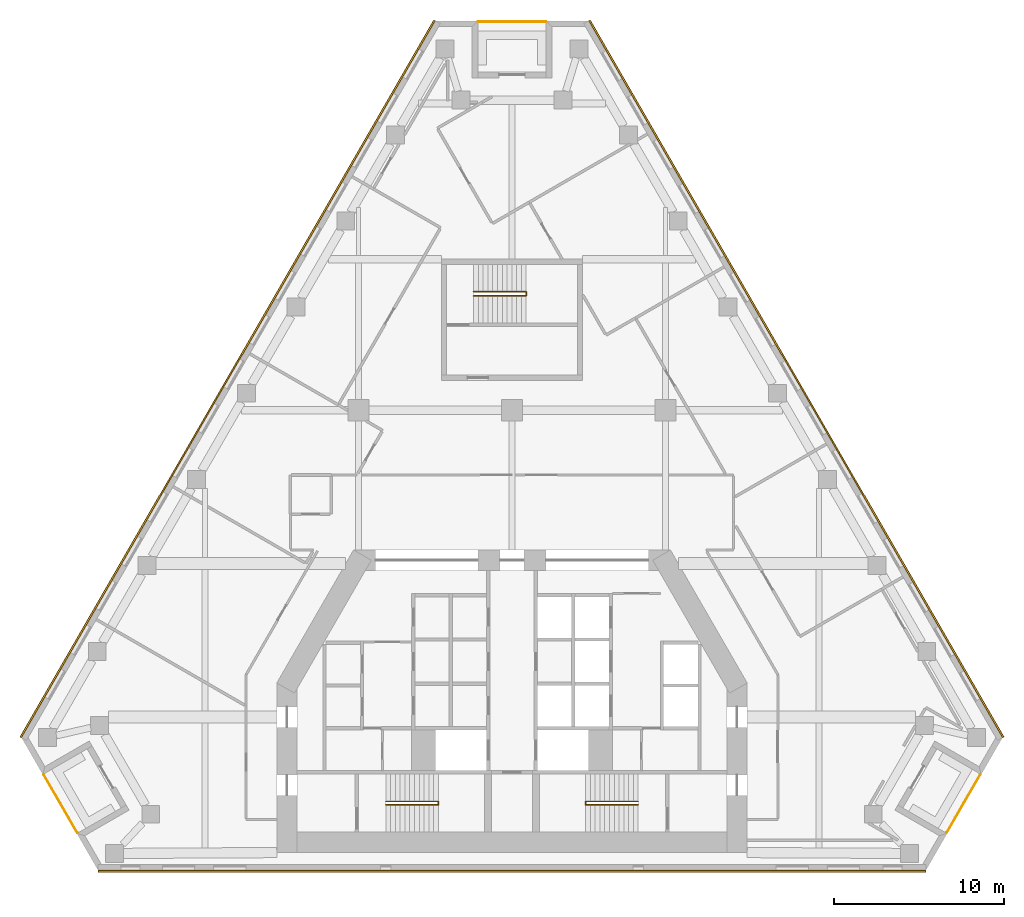
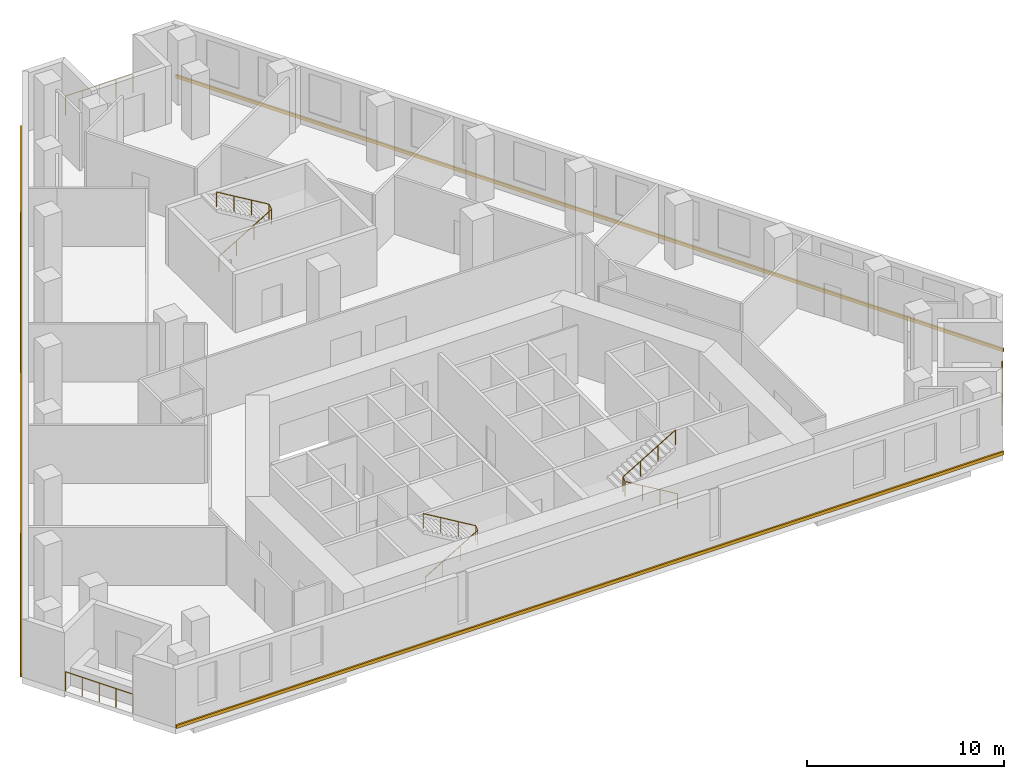
# One storey, part 8 of 8: 6 railings, 3 coverings.
"""IFC4 building model written with IfcOpenShell, lengths in metres."""

from ifc_helpers import new_model, si_unit, direction, frame, origin, origin_2d, place, context, subcontext, project, spatial, polyline, circle, outline, extrude, material, type_object, element, save


model = new_model("IFC4")

# Units and contexts
model_context = context("Model", 3, precision=1e-05, world=origin(), true_north=direction((0.0, 1.0)))
body_context = subcontext(model_context, "Body", "Model", "MODEL_VIEW")
ifc_project = project(units=[si_unit("LENGTHUNIT", "METRE"), si_unit("AREAUNIT", "SQUARE_METRE"), si_unit("VOLUMEUNIT", "CUBIC_METRE"), si_unit("PLANEANGLEUNIT", "RADIAN"), si_unit("MASSUNIT", "GRAM", prefix="KILO")], contexts=[model_context])

# Site, building, storey
site_placement = place(None, origin())
site = spatial("IfcSite", under=ifc_project, at=site_placement, CompositionType="ELEMENT")
building_placement = place(site_placement, origin())
building = spatial("IfcBuilding", under=site, at=building_placement, Name="Fogline Exchange Tower", CompositionType="ELEMENT")
storey_placement = place(building_placement, frame((0.0, 0.0, 158.89990234375)))
storey = spatial("IfcBuildingStorey", under=building, at=storey_placement, Name="L35", CompositionType="ELEMENT", Elevation=158.89990234375)

# Railings
ifc_material_1 = material(Name="Stainless steel 304", Category="steel")
railing_type_1 = type_object("IfcRailingType", Name="G1", PredefinedType="GUARDRAIL", material=ifc_material_1)
railing_1_placement = place(storey_placement, frame((-27.472412109375, 5.635986328125, 0.0)))
element("IfcRailing", 1, at=railing_1_placement, inside=storey, type_object=railing_type_1, Name="Balcony guard L35 SW", PredefinedType="GUARDRAIL", context=body_context, shape_type="SweptSolid", body=[
    extrude(circle(Radius=0.02392578125, at=origin_2d()), frame((0.0, 0.0, 1.17578125), z_axis=(0.500000102728, -0.866025344474, 0.0), x_axis=(0.866025344474, 0.500000102728, 0.0)), (0.0, 0.0, 1.0), 3.9580078125),
    extrude(circle(Radius=0.02099609375, at=origin_2d()), origin(), (0.0, 0.0, 1.0), 1.15185546875),
    extrude(circle(Radius=0.02099609375, at=origin_2d()), frame((0.49462890625, -0.85693359375, 0.0)), (0.0, 0.0, 1.0), 1.15185546875),
    extrude(circle(Radius=0.02099609375, at=origin_2d()), frame((0.989501953125, -1.7138671875, 0.0)), (0.0, 0.0, 1.0), 1.15185546875),
    extrude(circle(Radius=0.02099609375, at=origin_2d()), frame((1.484375, -2.57080078125, 0.0)), (0.0, 0.0, 1.0), 1.15185546875),
    extrude(circle(Radius=0.02099609375, at=origin_2d()), frame((1.97900390625, -3.427734375, 0.0)), (0.0, 0.0, 1.0), 1.15185546875),
])
railing_2_placement = place(storey_placement, frame((25.493408203125, 2.208251953125, 0.0)))
element("IfcRailing", 2, at=railing_2_placement, inside=storey, type_object=railing_type_1, Name="Balcony guard L35 SE", PredefinedType="GUARDRAIL", context=body_context, shape_type="SweptSolid", body=[
    extrude(circle(Radius=0.02392578125, at=origin_2d()), frame((0.0, 0.0, 1.17578125), z_axis=(0.500000102728, 0.866025344474, 0.0), x_axis=(-0.866025344474, 0.500000102728, 0.0)), (0.0, 0.0, 1.0), 3.9580078125),
    extrude(circle(Radius=0.02099609375, at=origin_2d()), origin(), (0.0, 0.0, 1.0), 1.15185546875),
    extrude(circle(Radius=0.02099609375, at=origin_2d()), frame((0.49462890625, 0.85693359375, 0.0)), (0.0, 0.0, 1.0), 1.15185546875),
    extrude(circle(Radius=0.02099609375, at=origin_2d()), frame((0.989501953125, 1.7138671875, 0.0)), (0.0, 0.0, 1.0), 1.15185546875),
    extrude(circle(Radius=0.02099609375, at=origin_2d()), frame((1.484375, 2.57080078125, 0.0)), (0.0, 0.0, 1.0), 1.15185546875),
    extrude(circle(Radius=0.02099609375, at=origin_2d()), frame((1.97900390625, 3.427734375, 0.0)), (0.0, 0.0, 1.0), 1.15185546875),
])
railing_3_placement = place(storey_placement, frame((1.97900390625, 49.791748046875, 0.0)))
element("IfcRailing", 3, at=railing_3_placement, inside=storey, type_object=railing_type_1, Name="Balcony guard L35 N", PredefinedType="GUARDRAIL", context=body_context, shape_type="SweptSolid", body=[
    extrude(circle(Radius=0.02392578125, at=origin_2d()), frame((0.0, 0.0, 1.17578125), z_axis=(-1.0, 0.0, 0.0), x_axis=(0.0, -1.0, 0.0)), (0.0, 0.0, 1.0), 3.9580078125),
    extrude(circle(Radius=0.02099609375, at=origin_2d()), origin(), (0.0, 0.0, 1.0), 1.15185546875),
    extrude(circle(Radius=0.02099609375, at=origin_2d()), frame((-0.989501953125, 0.0, 0.0)), (0.0, 0.0, 1.0), 1.15185546875),
    extrude(circle(Radius=0.02099609375, at=origin_2d()), frame((-1.97900390625, 0.0, 0.0)), (0.0, 0.0, 1.0), 1.15185546875),
    extrude(circle(Radius=0.02099609375, at=origin_2d()), frame((-2.968505859375, 0.0, 0.0)), (0.0, 0.0, 1.0), 1.15185546875),
    extrude(circle(Radius=0.02099609375, at=origin_2d()), frame((-3.9580078125, 0.0, 0.0)), (0.0, 0.0, 1.0), 1.15185546875),
])
ifc_material_2 = material(Name="Steel Q235B", Category="steel")
railing_type_2 = type_object("IfcRailingType", Name="RL-HR", PredefinedType="HANDRAIL", material=ifc_material_2)
railing_4_placement = place(storey_placement, frame((-7.39990234375, 3.85009765625, 0.166748046875)))
element("IfcRailing", 4, at=railing_4_placement, inside=storey, type_object=railing_type_2, Name="Handrail ST1", PredefinedType="HANDRAIL", context=body_context, shape_type="SweptSolid", body=[
    extrude(circle(Radius=0.02392578125, at=origin_2d()), frame((0.0, 0.0, 0.92578125), z_axis=(0.859290745958, 0.0, 0.51148745235), x_axis=(0.0, 1.0, 0.0)), (0.0, 0.0, 1.0), 3.584228515625),
    extrude(circle(Radius=0.02392578125, at=origin_2d()), frame((3.079833984375, 0.0, 2.75927734375), z_axis=(0.0, 0.767990643491, 0.640461061666), x_axis=(-1.0, 0.0, 0.0)), (0.0, 0.0, 1.0), 0.26025390625),
    extrude(circle(Radius=0.02392578125, at=origin_2d()), frame((3.079833984375, 0.199951171875, 2.92578125), z_axis=(-0.859290745958, 0.0, 0.51148745235), x_axis=(0.0, -1.0, 0.0)), (0.0, 0.0, 1.0), 3.584228515625),
    extrude(circle(Radius=0.02099609375, at=origin_2d()), origin(), (0.0, 0.0, 1.0), 0.90185546875),
    extrude(circle(Radius=0.02099609375, at=origin_2d()), frame((1.026611328125, 0.0, 0.611083984375)), (0.0, 0.0, 1.0), 0.90185546875),
    extrude(circle(Radius=0.02099609375, at=origin_2d()), frame((2.05322265625, 0.0, 1.22216796875)), (0.0, 0.0, 1.0), 0.90185546875),
    extrude(circle(Radius=0.02099609375, at=origin_2d()), frame((3.079833984375, 0.0, 1.833251953125)), (0.0, 0.0, 1.0), 0.90185546875),
    extrude(circle(Radius=0.02099609375, at=origin_2d()), frame((3.079833984375, 0.199951171875, 2.0)), (0.0, 0.0, 1.0), 0.90185546875),
    extrude(circle(Radius=0.02099609375, at=origin_2d()), frame((2.05322265625, 0.199951171875, 2.611083984375)), (0.0, 0.0, 1.0), 0.90185546875),
    extrude(circle(Radius=0.02099609375, at=origin_2d()), frame((1.026611328125, 0.199951171875, 3.22216796875)), (0.0, 0.0, 1.0), 0.90185546875),
    extrude(circle(Radius=0.02099609375, at=origin_2d()), frame((0.0, 0.199951171875, 3.833251953125)), (0.0, 0.0, 1.0), 0.90185546875),
])
railing_5_placement = place(storey_placement, frame((7.39990234375, 3.85009765625, 0.166748046875)))
element("IfcRailing", 5, at=railing_5_placement, inside=storey, type_object=railing_type_2, Name="Handrail ST2", PredefinedType="HANDRAIL", context=body_context, shape_type="SweptSolid", body=[
    extrude(circle(Radius=0.02392578125, at=origin_2d()), frame((0.0, 0.0, 0.92578125), z_axis=(-0.859290745958, 0.0, 0.51148745235), x_axis=(0.0, -1.0, 0.0)), (0.0, 0.0, 1.0), 3.584228515625),
    extrude(circle(Radius=0.02392578125, at=origin_2d()), frame((-3.079833984375, 0.0, 2.75927734375), z_axis=(0.0, 0.767990643491, 0.640461061666), x_axis=(-1.0, 0.0, 0.0)), (0.0, 0.0, 1.0), 0.26025390625),
    extrude(circle(Radius=0.02392578125, at=origin_2d()), frame((-3.079833984375, 0.199951171875, 2.92578125), z_axis=(0.859290745958, 0.0, 0.51148745235), x_axis=(0.0, 1.0, 0.0)), (0.0, 0.0, 1.0), 3.584228515625),
    extrude(circle(Radius=0.02099609375, at=origin_2d()), origin(), (0.0, 0.0, 1.0), 0.90185546875),
    extrude(circle(Radius=0.02099609375, at=origin_2d()), frame((-1.026611328125, 0.0, 0.611083984375)), (0.0, 0.0, 1.0), 0.90185546875),
    extrude(circle(Radius=0.02099609375, at=origin_2d()), frame((-2.05322265625, 0.0, 1.22216796875)), (0.0, 0.0, 1.0), 0.90185546875),
    extrude(circle(Radius=0.02099609375, at=origin_2d()), frame((-3.079833984375, 0.0, 1.833251953125)), (0.0, 0.0, 1.0), 0.90185546875),
    extrude(circle(Radius=0.02099609375, at=origin_2d()), frame((-3.079833984375, 0.199951171875, 2.0)), (0.0, 0.0, 1.0), 0.90185546875),
    extrude(circle(Radius=0.02099609375, at=origin_2d()), frame((-2.05322265625, 0.199951171875, 2.611083984375)), (0.0, 0.0, 1.0), 0.90185546875),
    extrude(circle(Radius=0.02099609375, at=origin_2d()), frame((-1.026611328125, 0.199951171875, 3.22216796875)), (0.0, 0.0, 1.0), 0.90185546875),
    extrude(circle(Radius=0.02099609375, at=origin_2d()), frame((0.0, 0.199951171875, 3.833251953125)), (0.0, 0.0, 1.0), 0.90185546875),
])
railing_6_placement = place(storey_placement, frame((-2.25, 33.70703125, 0.166748046875)))
element("IfcRailing", 6, at=railing_6_placement, inside=storey, type_object=railing_type_2, Name="Handrail ST3", PredefinedType="HANDRAIL", context=body_context, shape_type="SweptSolid", body=[
    extrude(circle(Radius=0.02392578125, at=origin_2d()), frame((0.0, 0.0, 0.92578125), z_axis=(0.859308565015, 0.0, 0.511457515432), x_axis=(0.0, 1.0, 0.0)), (0.0, 0.0, 1.0), 3.58447265625),
    extrude(circle(Radius=0.02392578125, at=origin_2d()), frame((3.080078125, 0.0, 2.75927734375), z_axis=(0.0, 0.831925284441, 0.554887665306), x_axis=(-1.0, 0.0, 0.0)), (0.0, 0.0, 1.0), 0.300537109375),
    extrude(circle(Radius=0.02392578125, at=origin_2d()), frame((3.080078125, 0.25, 2.92578125), z_axis=(-0.859308565015, 0.0, 0.511457515432), x_axis=(0.0, -1.0, 0.0)), (0.0, 0.0, 1.0), 3.58447265625),
    extrude(circle(Radius=0.02099609375, at=origin_2d()), origin(), (0.0, 0.0, 1.0), 0.90185546875),
    extrude(circle(Radius=0.02099609375, at=origin_2d()), frame((1.026611328125, 0.0, 0.611083984375)), (0.0, 0.0, 1.0), 0.90185546875),
    extrude(circle(Radius=0.02099609375, at=origin_2d()), frame((2.053466796875, 0.0, 1.22216796875)), (0.0, 0.0, 1.0), 0.90185546875),
    extrude(circle(Radius=0.02099609375, at=origin_2d()), frame((3.080078125, 0.0, 1.833251953125)), (0.0, 0.0, 1.0), 0.90185546875),
    extrude(circle(Radius=0.02099609375, at=origin_2d()), frame((3.080078125, 0.25, 2.0)), (0.0, 0.0, 1.0), 0.90185546875),
    extrude(circle(Radius=0.02099609375, at=origin_2d()), frame((2.053466796875, 0.25, 2.611083984375)), (0.0, 0.0, 1.0), 0.90185546875),
    extrude(circle(Radius=0.02099609375, at=origin_2d()), frame((1.026611328125, 0.25, 3.22216796875)), (0.0, 0.0, 1.0), 0.90185546875),
    extrude(circle(Radius=0.02099609375, at=origin_2d()), frame((0.0, 0.25, 3.833251953125)), (0.0, 0.0, 1.0), 0.90185546875),
])

# Coverings
ifc_material_3 = material(Name="Brick masonry", Category="masonry")
covering_type = type_object("IfcCoveringType", Name="SB1", PredefinedType="CLADDING", material=ifc_material_3)
covering_1_placement = place(storey_placement, origin())
element("IfcCovering", 7, at=covering_1_placement, inside=storey, type_object=covering_type, Name="Stringcourse band L35 S", PredefinedType="CLADDING", context=body_context, shape_type="SweptSolid", body=[
    extrude(outline(polyline([(-24.276123046875, 0.0), (-24.276123046875, -0.10009765625), (24.276123046875, -0.10009765625), (24.276123046875, 0.0), (-24.276123046875, 0.0)])), origin(), (0.0, 0.0, 1.0), 0.2001953125),
])
covering_2_placement = place(storey_placement, origin())
element("IfcCovering", 8, at=covering_2_placement, inside=storey, type_object=covering_type, Name="Stringcourse band L35 E", PredefinedType="CLADDING", context=body_context, shape_type="SweptSolid", body=[
    extrude(outline(polyline([(28.776123046875, 7.794189453125), (28.86279296875, 7.84423828125), (4.586669921875, 49.8916015625), (4.5, 49.841796875), (28.776123046875, 7.794189453125)])), origin(), (0.0, 0.0, 1.0), 0.2001953125),
])
covering_3_placement = place(storey_placement, origin())
element("IfcCovering", 9, at=covering_3_placement, inside=storey, type_object=covering_type, Name="Stringcourse band L35 W", PredefinedType="CLADDING", context=body_context, shape_type="SweptSolid", body=[
    extrude(outline(polyline([(-4.5, 49.841796875), (-4.586669921875, 49.8916015625), (-28.86279296875, 7.84423828125), (-28.776123046875, 7.794189453125), (-4.5, 49.841796875)])), origin(), (0.0, 0.0, 1.0), 0.2001953125),
])

save(model, "model.ifc")
